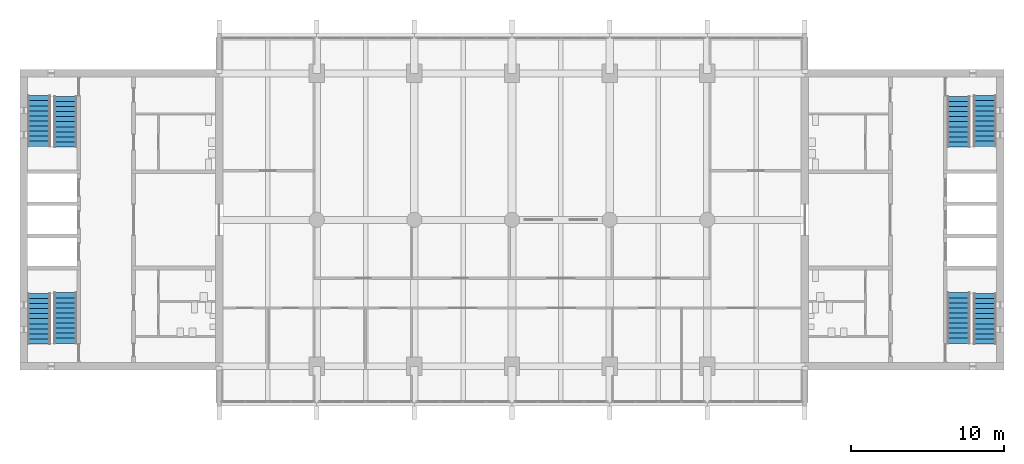
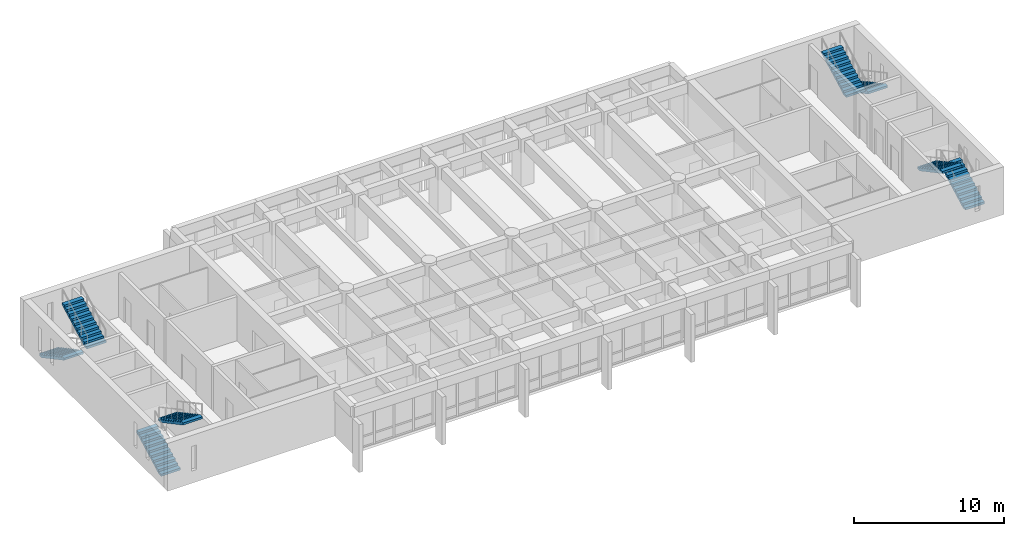
# One storey, part 13 of 15: 8 stair flights, 4 elements without a shape of their own.
"""IFC4 building model written with IfcOpenShell, lengths in metres."""

from ifc_helpers import new_model, si_unit, direction, frame, origin, place, context, subcontext, project, spatial, polyline, outline, extrude, material, type_object, element, aggregate, save


model = new_model("IFC4")

# Units and contexts
model_context = context("Model", 3, precision=1e-05, world=origin(), true_north=direction((0.0, 1.0)))
body_context = subcontext(model_context, "Body", "Model", "MODEL_VIEW")
ifc_project = project(units=[si_unit("LENGTHUNIT", "METRE"), si_unit("AREAUNIT", "SQUARE_METRE"), si_unit("VOLUMEUNIT", "CUBIC_METRE"), si_unit("PLANEANGLEUNIT", "RADIAN"), si_unit("MASSUNIT", "GRAM", prefix="KILO")], contexts=[model_context])

# Site, building, storey
site_placement = place(None, origin())
site = spatial("IfcSite", under=ifc_project, at=site_placement, CompositionType="ELEMENT")
building_placement = place(site_placement, origin())
building = spatial("IfcBuilding", under=site, at=building_placement, Name="Fogon Plaza Fire Station and Headquarters Tower", CompositionType="ELEMENT")
storey_placement = place(building_placement, frame((0.0, 0.0, 28.800048828125)))
storey = spatial("IfcBuildingStorey", under=building, at=storey_placement, Name="L07", CompositionType="ELEMENT", Elevation=28.800048828125)

# Stair, stair flights
ifc_material_1 = material(Name="Concrete C40", Category="concrete")
stair_type = type_object("IfcStairType", Name="Exit Stair Two Flights", PredefinedType="TWO_STRAIGHT_RUN_STAIR", material=ifc_material_1)
stair_1_placement = place(storey_placement, origin())
stair_1 = element("IfcStair", 1, at=stair_1_placement, inside=storey, type_object=stair_type, Name="Stair ST1", PredefinedType="TWO_STRAIGHT_RUN_STAIR")
ifc_material_2 = material(Name="Concrete C40", Category="concrete")
stair_flight_type = type_object("IfcStairFlightType", Name="Stair Flight 11 Risers", PredefinedType="STRAIGHT", material=ifc_material_2)
stair_flight_1_placement = place(storey_placement, frame((13.800048828125, 35.060791015625, 0.0), z_axis=(0.0, 0.0, 1.0), x_axis=(0.0, 1.0, 0.0)))
stair_flight_1 = element("IfcStairFlight", 2, at=stair_flight_1_placement, type_object=stair_flight_type, Name="ST1 flight F17", NumberOfRisers=11, NumberOfTreads=10, PredefinedType="STRAIGHT", RiserHeight=0.177272727, TreadLength=0.3315, context=body_context, shape_type="SweptSolid", body=[
    extrude(outline(polyline([(0.0, 0.0), (0.0, 0.17724609375), (0.33154296875, 0.17724609375), (0.33154296875, 0.3544921875), (0.6630859375, 0.3544921875), (0.6630859375, 0.53173828125), (0.994384765625, 0.53173828125), (0.994384765625, 0.708984375), (1.325927734375, 0.708984375), (1.325927734375, 0.886474609375), (1.657470703125, 0.886474609375), (1.657470703125, 1.063720703125), (1.989013671875, 1.063720703125), (1.989013671875, 1.240966796875), (2.320556640625, 1.240966796875), (2.320556640625, 1.418212890625), (2.652099609375, 1.418212890625), (2.652099609375, 1.595458984375), (2.9833984375, 1.595458984375), (2.9833984375, 1.772705078125), (3.31494140625, 1.772705078125), (3.31494140625, 1.949951171875), (3.31494140625, 1.602783203125), (0.31787109375, 0.0), (0.0, 0.0)])), frame((0.0, 0.75, 0.0), z_axis=(0.0, -1.0, 0.0), x_axis=(1.0, 0.0, 0.0)), (0.0, 0.0, 1.0), 1.5),
])
stair_flight_2_placement = place(storey_placement, frame((15.52490234375, 38.42431640625, 1.949951171875), z_axis=(0.0, 0.0, 1.0), x_axis=(0.0, -1.0, 0.0)))
stair_flight_2 = element("IfcStairFlight", 3, at=stair_flight_2_placement, type_object=stair_flight_type, Name="ST1 flight F18", NumberOfRisers=11, NumberOfTreads=10, PredefinedType="STRAIGHT", RiserHeight=0.177272727, TreadLength=0.3315, context=body_context, shape_type="SweptSolid", body=[
    extrude(outline(polyline([(0.0, 0.0), (0.0, 0.17724609375), (0.33154296875, 0.17724609375), (0.33154296875, 0.3544921875), (0.6630859375, 0.3544921875), (0.6630859375, 0.53173828125), (0.994384765625, 0.53173828125), (0.994384765625, 0.708984375), (1.325927734375, 0.708984375), (1.325927734375, 0.886474609375), (1.657470703125, 0.886474609375), (1.657470703125, 1.063720703125), (1.989013671875, 1.063720703125), (1.989013671875, 1.240966796875), (2.320556640625, 1.240966796875), (2.320556640625, 1.418212890625), (2.652099609375, 1.418212890625), (2.652099609375, 1.595458984375), (2.9833984375, 1.595458984375), (2.9833984375, 1.772705078125), (3.31494140625, 1.772705078125), (3.31494140625, 1.949951171875), (3.31494140625, 1.602783203125), (0.31787109375, 0.0), (0.0, 0.0)])), frame((0.0, 0.75, 0.0), z_axis=(0.0, -1.0, 0.0), x_axis=(1.0, 0.0, 0.0)), (0.0, 0.0, 1.0), 1.5),
])
aggregate(stair_1, [stair_flight_1, stair_flight_2])

stair_2_placement = place(storey_placement, origin())
stair_2 = element("IfcStair", 4, at=stair_2_placement, inside=storey, type_object=stair_type, Name="Stair ST2", PredefinedType="TWO_STRAIGHT_RUN_STAIR")
stair_flight_3_placement = place(storey_placement, frame((13.800048828125, 51.33935546875, 0.0), z_axis=(0.0, 0.0, 1.0), x_axis=(0.0, -1.0, 0.0)))
stair_flight_3 = element("IfcStairFlight", 5, at=stair_flight_3_placement, type_object=stair_flight_type, Name="ST2 flight F17", NumberOfRisers=11, NumberOfTreads=10, PredefinedType="STRAIGHT", RiserHeight=0.177272727, TreadLength=0.3315, context=body_context, shape_type="SweptSolid", body=[
    extrude(outline(polyline([(0.0, 0.0), (0.0, 0.17724609375), (0.33154296875, 0.17724609375), (0.33154296875, 0.3544921875), (0.6630859375, 0.3544921875), (0.6630859375, 0.53173828125), (0.994384765625, 0.53173828125), (0.994384765625, 0.708984375), (1.325927734375, 0.708984375), (1.325927734375, 0.886474609375), (1.657470703125, 0.886474609375), (1.657470703125, 1.063720703125), (1.989013671875, 1.063720703125), (1.989013671875, 1.240966796875), (2.320556640625, 1.240966796875), (2.320556640625, 1.418212890625), (2.652099609375, 1.418212890625), (2.652099609375, 1.595458984375), (2.9833984375, 1.595458984375), (2.9833984375, 1.772705078125), (3.31494140625, 1.772705078125), (3.31494140625, 1.949951171875), (3.31494140625, 1.602783203125), (0.31787109375, 0.0), (0.0, 0.0)])), frame((0.0, 0.75, 0.0), z_axis=(0.0, -1.0, 0.0), x_axis=(1.0, 0.0, 0.0)), (0.0, 0.0, 1.0), 1.5),
])
stair_flight_4_placement = place(storey_placement, frame((15.52490234375, 47.975830078125, 1.949951171875), z_axis=(0.0, 0.0, 1.0), x_axis=(0.0, 1.0, 0.0)))
stair_flight_4 = element("IfcStairFlight", 6, at=stair_flight_4_placement, type_object=stair_flight_type, Name="ST2 flight F18", NumberOfRisers=11, NumberOfTreads=10, PredefinedType="STRAIGHT", RiserHeight=0.177272727, TreadLength=0.3315, context=body_context, shape_type="SweptSolid", body=[
    extrude(outline(polyline([(0.0, 0.0), (0.0, 0.17724609375), (0.33154296875, 0.17724609375), (0.33154296875, 0.3544921875), (0.6630859375, 0.3544921875), (0.6630859375, 0.53173828125), (0.994384765625, 0.53173828125), (0.994384765625, 0.708984375), (1.325927734375, 0.708984375), (1.325927734375, 0.886474609375), (1.657470703125, 0.886474609375), (1.657470703125, 1.063720703125), (1.989013671875, 1.063720703125), (1.989013671875, 1.240966796875), (2.320556640625, 1.240966796875), (2.320556640625, 1.418212890625), (2.652099609375, 1.418212890625), (2.652099609375, 1.595458984375), (2.9833984375, 1.595458984375), (2.9833984375, 1.772705078125), (3.31494140625, 1.772705078125), (3.31494140625, 1.949951171875), (3.31494140625, 1.602783203125), (0.31787109375, 0.0), (0.0, 0.0)])), frame((0.0, 0.75, 0.0), z_axis=(0.0, -1.0, 0.0), x_axis=(1.0, 0.0, 0.0)), (0.0, 0.0, 1.0), 1.5),
])
aggregate(stair_2, [stair_flight_3, stair_flight_4])

stair_3_placement = place(storey_placement, origin())
stair_3 = element("IfcStair", 7, at=stair_3_placement, inside=storey, type_object=stair_type, Name="Stair ST3", PredefinedType="TWO_STRAIGHT_RUN_STAIR")
stair_flight_5_placement = place(storey_placement, frame((75.800048828125, 35.060791015625, 0.0), z_axis=(0.0, 0.0, 1.0), x_axis=(0.0, 1.0, 0.0)))
stair_flight_5 = element("IfcStairFlight", 8, at=stair_flight_5_placement, type_object=stair_flight_type, Name="ST3 flight F17", NumberOfRisers=11, NumberOfTreads=10, PredefinedType="STRAIGHT", RiserHeight=0.177272727, TreadLength=0.3315, context=body_context, shape_type="SweptSolid", body=[
    extrude(outline(polyline([(0.0, 0.0), (0.0, 0.17724609375), (0.33154296875, 0.17724609375), (0.33154296875, 0.3544921875), (0.6630859375, 0.3544921875), (0.6630859375, 0.53173828125), (0.994384765625, 0.53173828125), (0.994384765625, 0.708984375), (1.325927734375, 0.708984375), (1.325927734375, 0.886474609375), (1.657470703125, 0.886474609375), (1.657470703125, 1.063720703125), (1.989013671875, 1.063720703125), (1.989013671875, 1.240966796875), (2.320556640625, 1.240966796875), (2.320556640625, 1.418212890625), (2.652099609375, 1.418212890625), (2.652099609375, 1.595458984375), (2.9833984375, 1.595458984375), (2.9833984375, 1.772705078125), (3.31494140625, 1.772705078125), (3.31494140625, 1.949951171875), (3.31494140625, 1.602783203125), (0.31787109375, 0.0), (0.0, 0.0)])), frame((0.0, 0.75, 0.0), z_axis=(0.0, -1.0, 0.0), x_axis=(1.0, 0.0, 0.0)), (0.0, 0.0, 1.0), 1.5),
])
stair_flight_6_placement = place(storey_placement, frame((74.074951171875, 38.42431640625, 1.949951171875), z_axis=(0.0, 0.0, 1.0), x_axis=(0.0, -1.0, 0.0)))
stair_flight_6 = element("IfcStairFlight", 9, at=stair_flight_6_placement, type_object=stair_flight_type, Name="ST3 flight F18", NumberOfRisers=11, NumberOfTreads=10, PredefinedType="STRAIGHT", RiserHeight=0.177272727, TreadLength=0.3315, context=body_context, shape_type="SweptSolid", body=[
    extrude(outline(polyline([(0.0, 0.0), (0.0, 0.17724609375), (0.33154296875, 0.17724609375), (0.33154296875, 0.3544921875), (0.6630859375, 0.3544921875), (0.6630859375, 0.53173828125), (0.994384765625, 0.53173828125), (0.994384765625, 0.708984375), (1.325927734375, 0.708984375), (1.325927734375, 0.886474609375), (1.657470703125, 0.886474609375), (1.657470703125, 1.063720703125), (1.989013671875, 1.063720703125), (1.989013671875, 1.240966796875), (2.320556640625, 1.240966796875), (2.320556640625, 1.418212890625), (2.652099609375, 1.418212890625), (2.652099609375, 1.595458984375), (2.9833984375, 1.595458984375), (2.9833984375, 1.772705078125), (3.31494140625, 1.772705078125), (3.31494140625, 1.949951171875), (3.31494140625, 1.602783203125), (0.31787109375, 0.0), (0.0, 0.0)])), frame((0.0, 0.75, 0.0), z_axis=(0.0, -1.0, 0.0), x_axis=(1.0, 0.0, 0.0)), (0.0, 0.0, 1.0), 1.5),
])
aggregate(stair_3, [stair_flight_5, stair_flight_6])

stair_4_placement = place(storey_placement, origin())
stair_4 = element("IfcStair", 10, at=stair_4_placement, inside=storey, type_object=stair_type, Name="Stair ST4", PredefinedType="TWO_STRAIGHT_RUN_STAIR")
stair_flight_7_placement = place(storey_placement, frame((75.800048828125, 51.33935546875, 0.0), z_axis=(0.0, 0.0, 1.0), x_axis=(0.0, -1.0, 0.0)))
stair_flight_7 = element("IfcStairFlight", 11, at=stair_flight_7_placement, type_object=stair_flight_type, Name="ST4 flight F17", NumberOfRisers=11, NumberOfTreads=10, PredefinedType="STRAIGHT", RiserHeight=0.177272727, TreadLength=0.3315, context=body_context, shape_type="SweptSolid", body=[
    extrude(outline(polyline([(0.0, 0.0), (0.0, 0.17724609375), (0.33154296875, 0.17724609375), (0.33154296875, 0.3544921875), (0.6630859375, 0.3544921875), (0.6630859375, 0.53173828125), (0.994384765625, 0.53173828125), (0.994384765625, 0.708984375), (1.325927734375, 0.708984375), (1.325927734375, 0.886474609375), (1.657470703125, 0.886474609375), (1.657470703125, 1.063720703125), (1.989013671875, 1.063720703125), (1.989013671875, 1.240966796875), (2.320556640625, 1.240966796875), (2.320556640625, 1.418212890625), (2.652099609375, 1.418212890625), (2.652099609375, 1.595458984375), (2.9833984375, 1.595458984375), (2.9833984375, 1.772705078125), (3.31494140625, 1.772705078125), (3.31494140625, 1.949951171875), (3.31494140625, 1.602783203125), (0.31787109375, 0.0), (0.0, 0.0)])), frame((0.0, 0.75, 0.0), z_axis=(0.0, -1.0, 0.0), x_axis=(1.0, 0.0, 0.0)), (0.0, 0.0, 1.0), 1.5),
])
stair_flight_8_placement = place(storey_placement, frame((74.074951171875, 47.975830078125, 1.949951171875), z_axis=(0.0, 0.0, 1.0), x_axis=(0.0, 1.0, 0.0)))
stair_flight_8 = element("IfcStairFlight", 12, at=stair_flight_8_placement, type_object=stair_flight_type, Name="ST4 flight F18", NumberOfRisers=11, NumberOfTreads=10, PredefinedType="STRAIGHT", RiserHeight=0.177272727, TreadLength=0.3315, context=body_context, shape_type="SweptSolid", body=[
    extrude(outline(polyline([(0.0, 0.0), (0.0, 0.17724609375), (0.33154296875, 0.17724609375), (0.33154296875, 0.3544921875), (0.6630859375, 0.3544921875), (0.6630859375, 0.53173828125), (0.994384765625, 0.53173828125), (0.994384765625, 0.708984375), (1.325927734375, 0.708984375), (1.325927734375, 0.886474609375), (1.657470703125, 0.886474609375), (1.657470703125, 1.063720703125), (1.989013671875, 1.063720703125), (1.989013671875, 1.240966796875), (2.320556640625, 1.240966796875), (2.320556640625, 1.418212890625), (2.652099609375, 1.418212890625), (2.652099609375, 1.595458984375), (2.9833984375, 1.595458984375), (2.9833984375, 1.772705078125), (3.31494140625, 1.772705078125), (3.31494140625, 1.949951171875), (3.31494140625, 1.602783203125), (0.31787109375, 0.0), (0.0, 0.0)])), frame((0.0, 0.75, 0.0), z_axis=(0.0, -1.0, 0.0), x_axis=(1.0, 0.0, 0.0)), (0.0, 0.0, 1.0), 1.5),
])
aggregate(stair_4, [stair_flight_7, stair_flight_8])

save(model, "model.ifc")
